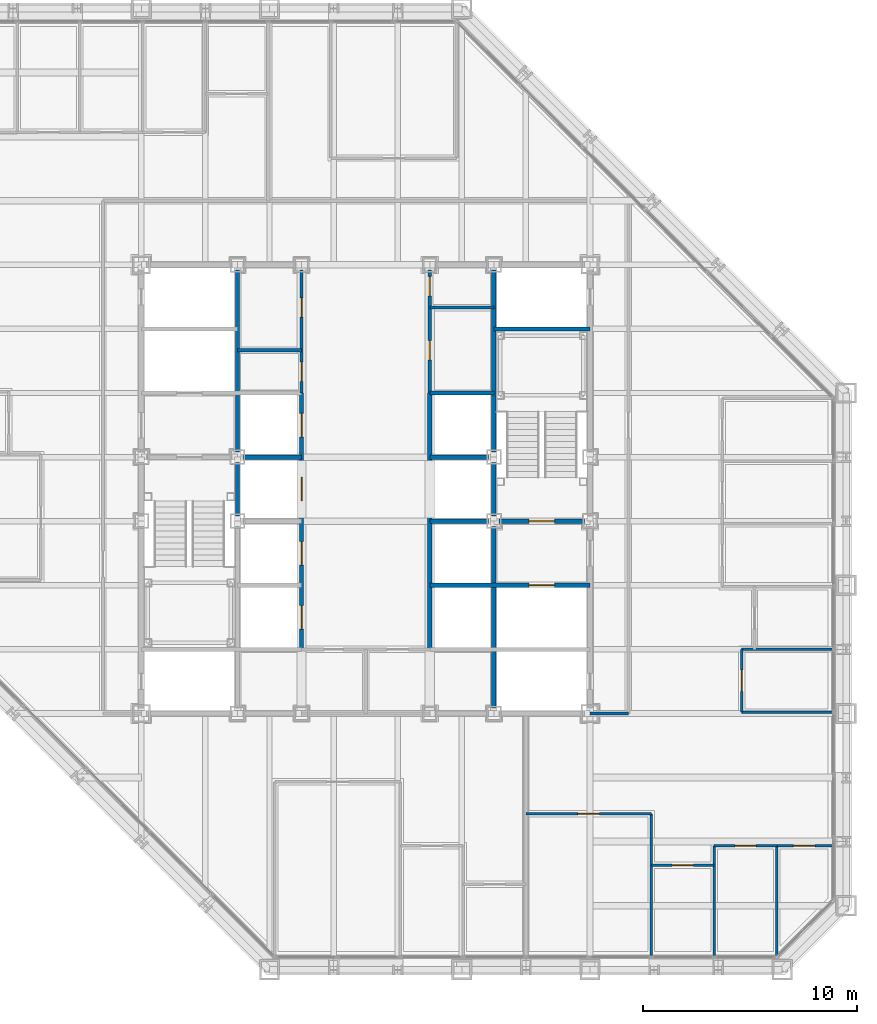
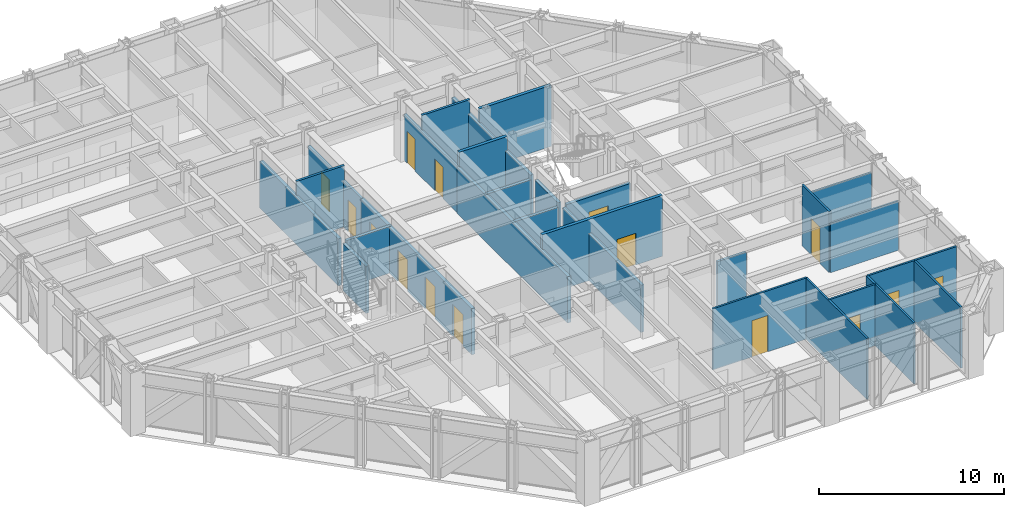
# One storey, part 11 of 16: 29 walls, 15 doors, 15 openings.
"""IFC4 building model written with IfcOpenShell, lengths in metres."""

from ifc_helpers import new_model, si_unit, direction, frame, frame_2d, origin, place, context, subcontext, project, spatial, rectangle, extrude, material, layer, layer_set, type_object, element, fill, save


model = new_model("IFC4")

# Units and contexts
model_context = context("Model", 3, precision=1e-05, world=origin(), true_north=direction((0.0, 1.0)))
body_context = subcontext(model_context, "Body", "Model", "MODEL_VIEW")
ifc_project = project(units=[si_unit("LENGTHUNIT", "METRE"), si_unit("AREAUNIT", "SQUARE_METRE"), si_unit("VOLUMEUNIT", "CUBIC_METRE"), si_unit("PLANEANGLEUNIT", "RADIAN"), si_unit("MASSUNIT", "GRAM", prefix="KILO")], contexts=[model_context])

# Site, building, storey
site_placement = place(None, origin())
site = spatial("IfcSite", under=ifc_project, at=site_placement, CompositionType="ELEMENT")
building_placement = place(site_placement, origin())
building = spatial("IfcBuilding", under=site, at=building_placement, Name="Chuquiago Exchange Tower", CompositionType="ELEMENT")
storey_placement = place(building_placement, frame((0.0, 0.0, 123.60009765625)))
storey = spatial("IfcBuildingStorey", under=building, at=storey_placement, Name="L26", CompositionType="ELEMENT", Elevation=123.60009765625)

# Walls
ifc_material_1 = material(Name="Gypsum board on steel studs, acoustic insulation", Category="steel")
ifc_layer_1 = layer(ifc_material_1, 0.14990234375)
ifc_layer_set_1 = layer_set([ifc_layer_1], Name="W11 corridor wall 150")
wall_type_1 = type_object("IfcWallType", Name="W11 corridor wall 150", PredefinedType="PARTITIONING", material=ifc_layer_set_1)
wall_1_placement = place(storey_placement, frame((33.0, 12.0, 0.0), z_axis=(0.0, 0.0, 1.0), x_axis=(1.0, 0.0, 0.0)))
element("IfcWall", 1, at=wall_1_placement, inside=storey, type_object=wall_type_1, Name="PW-L26-CES", PredefinedType="PARTITIONING", context=body_context, shape_type="SweptSolid", body=[
    extrude(rectangle(XDim=1.800048828125, YDim=0.14990234375, at=frame_2d((0.89990234375, 0.0))), origin(), (0.0, 0.0, 1.0), 3.270263671875),
])
ifc_material_2 = material(Name="Concrete masonry, fully grouted", Category="masonry")
ifc_layer_2 = layer(ifc_material_2, 0.199951171875)
ifc_layer_set_2 = layer_set([ifc_layer_2], Name="W2 shaft wall 200")
wall_type_2 = type_object("IfcWallType", Name="W2 shaft wall 200", PredefinedType="SOLIDWALL", material=ifc_layer_set_2)
for number, where, z_axis, x_axis, name in (
    (2, (16.75, 24.0, 0.0), (0.0, 0.0, 1.0), (1.0, 0.0, 0.0), "CW-L26-05-1"),
    (3, (25.5, 24.0, 0.0), (0.0, 0.0, 1.0), (1.0, 0.0, 0.0), "CW-L26-06-0"),
):
    element("IfcWall", number, at=place(storey_placement, frame(where, z_axis=z_axis, x_axis=x_axis)), inside=storey, type_object=wall_type_2, Name=name, PredefinedType="SOLIDWALL", context=body_context, shape_type="SweptSolid", body=[
        extrude(rectangle(XDim=2.75, YDim=0.199951171875, at=frame_2d((1.375, 0.0))), origin(), (0.0, 0.0, 1.0), 3.08984375),
    ])
wall_2_placement = place(storey_placement, frame((25.5, 27.0, 0.0), z_axis=(0.0, 0.0, 1.0), x_axis=(1.0, 0.0, 0.0)))
element("IfcWall", 4, at=wall_2_placement, inside=storey, type_object=wall_type_2, Name="CW-L26-08-0", PredefinedType="SOLIDWALL", context=body_context, shape_type="SweptSolid", body=[
    extrude(rectangle(XDim=3.0, YDim=0.199951171875, at=frame_2d((1.5, 0.0))), origin(), (0.0, 0.0, 1.0), 4.039794921875),
])
wall_3_placement = place(storey_placement, frame((28.5, 30.0, 0.0), z_axis=(0.0, 0.0, 1.0), x_axis=(1.0, 0.0, 0.0)))
element("IfcWall", 5, at=wall_3_placement, inside=storey, type_object=wall_type_2, Name="CW-L26-10-0", PredefinedType="SOLIDWALL", context=body_context, shape_type="SweptSolid", body=[
    extrude(rectangle(XDim=4.5, YDim=0.199951171875, at=frame_2d((2.25, 0.0))), origin(), (0.0, 0.0, 1.0), 4.039794921875),
])
wall_4_placement = place(storey_placement, frame((16.5, 21.25, 0.0), z_axis=(0.0, 0.0, 1.0), x_axis=(0.0, 1.0, 0.0)))
element("IfcWall", 6, at=wall_4_placement, inside=storey, type_object=wall_type_2, Name="CW-L26-13-1", PredefinedType="SOLIDWALL", context=body_context, shape_type="SweptSolid", body=[
    extrude(rectangle(XDim=2.5, YDim=0.199951171875, at=frame_2d((1.25, 0.0))), origin(), (0.0, 0.0, 1.0), 3.11279296875),
])
wall_5_placement = place(storey_placement, frame((16.5, 24.25, 0.0), z_axis=(0.0, 0.0, 1.0), x_axis=(0.0, 1.0, 0.0)))
element("IfcWall", 7, at=wall_5_placement, inside=storey, type_object=wall_type_2, Name="CW-L26-13-2", PredefinedType="SOLIDWALL", context=body_context, shape_type="SweptSolid", body=[
    extrude(rectangle(XDim=8.5, YDim=0.199951171875, at=frame_2d((4.25, 0.0))), origin(), (0.0, 0.0, 1.0), 3.11279296875),
])

# Wall, opening, door
wall_6_placement = place(storey_placement, frame((25.5, 18.0, 0.0), z_axis=(0.0, 0.0, 1.0), x_axis=(1.0, 0.0, 0.0)))
wall_6 = element("IfcWall", 8, at=wall_6_placement, inside=storey, type_object=wall_type_2, Name="CW-L26-15-0", PredefinedType="SOLIDWALL", context=body_context, shape_type="SweptSolid", body=[
    extrude(rectangle(XDim=7.5, YDim=0.199951171875, at=frame_2d((3.75, 0.0))), origin(), (0.0, 0.0, 1.0), 4.039794921875),
])
opening_1_placement = place(wall_6_placement, frame((4.64990234375, 0.0, 0.0)))
opening_1 = element("IfcOpeningElement", 9, at=opening_1_placement, cuts=wall_6, Name="Opening L26-006", PredefinedType="OPENING", context=body_context, shape_type="SweptSolid", body=[
    extrude(rectangle(XDim=1.199951171875, YDim=2.10009765625, at=frame_2d((0.60009765625, 1.050048828125))), frame((0.0, 0.10986328125, 0.0), z_axis=(0.0, -1.0, 0.0), x_axis=(1.0, 0.0, 0.0)), (0.0, 0.0, 1.0), 0.219970703125),
])
ifc_material_3 = material(Name="Stainless steel lift landing door", Category="steel")
door_type_1 = type_object("IfcDoorType", Name="LD2 firefighting lift landing door 1200x2100", OperationType="DOUBLE_DOOR_SLIDING", PredefinedType="DOOR", material=ifc_material_3)
door_1_placement = place(opening_1_placement, origin())
door_1 = element("IfcDoor", 10, at=door_1_placement, inside=storey, type_object=door_type_1, Name="Firefighting lift FL2 landing door", OperationType="DOUBLE_DOOR_SLIDING", OverallHeight=2.10009765625, OverallWidth=1.199951171875, PredefinedType="DOOR", context=body_context, shape_type="SweptSolid", body=[
    extrude(rectangle(XDim=1.199951171875, YDim=2.10009765625, at=frame_2d((0.60009765625, 1.050048828125))), frame((0.0, 0.02490234375, 0.0), z_axis=(0.0, -1.0, 0.0), x_axis=(1.0, 0.0, 0.0)), (0.0, 0.0, 1.0), 0.050048828125),
])
fill(opening_1, door_1)

# Wall
wall_7_placement = place(storey_placement, frame((25.5, 21.0, 0.0), z_axis=(0.0, 0.0, 1.0), x_axis=(1.0, 0.0, 0.0)))
element("IfcWall", 11, at=wall_7_placement, inside=storey, type_object=wall_type_2, Name="CW-L26-17-0", PredefinedType="SOLIDWALL", context=body_context, shape_type="SweptSolid", body=[
    extrude(rectangle(XDim=2.75, YDim=0.199951171875, at=frame_2d((1.375, 0.0))), origin(), (0.0, 0.0, 1.0), 3.08984375),
])

# Wall, opening, door
wall_8_placement = place(storey_placement, frame((28.75, 21.0, 0.0), z_axis=(0.0, 0.0, 1.0), x_axis=(1.0, 0.0, 0.0)))
wall_8 = element("IfcWall", 12, at=wall_8_placement, inside=storey, type_object=wall_type_2, Name="CW-L26-17-1", PredefinedType="SOLIDWALL", context=body_context, shape_type="SweptSolid", body=[
    extrude(rectangle(XDim=4.0, YDim=0.199951171875, at=frame_2d((2.0, 0.0))), origin(), (0.0, 0.0, 1.0), 3.08984375),
])
opening_2_placement = place(wall_8_placement, frame((1.39990234375, 0.0, 0.0)))
opening_2 = element("IfcOpeningElement", 13, at=opening_2_placement, cuts=wall_8, Name="Opening L26-003", PredefinedType="OPENING", context=body_context, shape_type="SweptSolid", body=[
    extrude(rectangle(XDim=1.199951171875, YDim=2.10009765625, at=frame_2d((0.60009765625, 1.050048828125))), frame((0.0, 0.10986328125, 0.0), z_axis=(0.0, -1.0, 0.0), x_axis=(1.0, 0.0, 0.0)), (0.0, 0.0, 1.0), 0.219970703125),
])
ifc_material_4 = material(Name="Steel door, painted", Category="steel")
door_type_2 = type_object("IfcDoorType", Name="D4 stair door 1200x2100", OperationType="SINGLE_SWING_LEFT", PredefinedType="DOOR", material=ifc_material_4)
door_2_placement = place(opening_2_placement, origin())
door_2 = element("IfcDoor", 14, at=door_2_placement, inside=storey, type_object=door_type_2, Name="Stair ST2 door", OperationType="SINGLE_SWING_LEFT", OverallHeight=2.10009765625, OverallWidth=1.199951171875, PredefinedType="DOOR", context=body_context, shape_type="SweptSolid", body=[
    extrude(rectangle(XDim=1.199951171875, YDim=2.10009765625, at=frame_2d((0.60009765625, 1.050048828125))), frame((0.0, 0.02490234375, 0.0), z_axis=(0.0, -1.0, 0.0), x_axis=(1.0, 0.0, 0.0)), (0.0, 0.0, 1.0), 0.050048828125),
])
fill(opening_2, door_2)

# Wall, openings, doors
wall_9_placement = place(storey_placement, frame((19.5, 15.0, 0.0), z_axis=(0.0, 0.0, 1.0), x_axis=(0.0, 1.0, 0.0)))
wall_9 = element("IfcWall", 15, at=wall_9_placement, inside=storey, type_object=wall_type_2, Name="CW-L26-19-0", PredefinedType="SOLIDWALL", context=body_context, shape_type="SweptSolid", body=[
    extrude(rectangle(XDim=12.0, YDim=0.199951171875, at=frame_2d((6.0, 0.0))), origin(), (0.0, 0.0, 1.0), 3.064453125),
])
opening_3_placement = place(wall_9_placement, frame((0.949951171875, 0.0, 0.0)))
opening_3 = element("IfcOpeningElement", 16, at=opening_3_placement, cuts=wall_9, Name="Opening L26-017", PredefinedType="OPENING", context=body_context, shape_type="SweptSolid", body=[
    extrude(rectangle(XDim=1.10009765625, YDim=2.10009765625, at=frame_2d((0.550048828125, 1.050048828125))), frame((0.0, 0.10986328125, 0.0), z_axis=(0.0, -1.0, 0.0), x_axis=(1.0, 0.0, 0.0)), (0.0, 0.0, 1.0), 0.219970703125),
])
opening_4_placement = place(wall_9_placement, frame((3.949951171875, 0.0, 0.0)))
opening_4 = element("IfcOpeningElement", 17, at=opening_4_placement, cuts=wall_9, Name="Opening L26-018", PredefinedType="OPENING", context=body_context, shape_type="SweptSolid", body=[
    extrude(rectangle(XDim=1.10009765625, YDim=2.10009765625, at=frame_2d((0.550048828125, 1.050048828125))), frame((0.0, 0.10986328125, 0.0), z_axis=(0.0, -1.0, 0.0), x_axis=(1.0, 0.0, 0.0)), (0.0, 0.0, 1.0), 0.219970703125),
])
opening_5_placement = place(wall_9_placement, frame((6.949951171875, 0.0, 0.0)))
opening_5 = element("IfcOpeningElement", 18, at=opening_5_placement, cuts=wall_9, Name="Opening L26-019", PredefinedType="OPENING", context=body_context, shape_type="SweptSolid", body=[
    extrude(rectangle(XDim=1.10009765625, YDim=2.10009765625, at=frame_2d((0.550048828125, 1.050048828125))), frame((0.0, 0.10986328125, 0.0), z_axis=(0.0, -1.0, 0.0), x_axis=(1.0, 0.0, 0.0)), (0.0, 0.0, 1.0), 0.219970703125),
])
opening_6_placement = place(wall_9_placement, frame((9.949951171875, 0.0, 0.0)))
opening_6 = element("IfcOpeningElement", 19, at=opening_6_placement, cuts=wall_9, Name="Opening L26-020", PredefinedType="OPENING", context=body_context, shape_type="SweptSolid", body=[
    extrude(rectangle(XDim=1.10009765625, YDim=2.10009765625, at=frame_2d((0.550048828125, 1.050048828125))), frame((0.0, 0.10986328125, 0.0), z_axis=(0.0, -1.0, 0.0), x_axis=(1.0, 0.0, 0.0)), (0.0, 0.0, 1.0), 0.219970703125),
])
ifc_material_5 = material(Name="Stainless steel lift landing door", Category="steel")
door_type_3 = type_object("IfcDoorType", Name="LD1 lift landing door 1100x2100", OperationType="DOUBLE_DOOR_SLIDING", PredefinedType="DOOR", material=ifc_material_5)
door_3_placement = place(opening_3_placement, origin())
door_3 = element("IfcDoor", 20, at=door_3_placement, inside=storey, type_object=door_type_3, Name="Lift LB1 landing door", OperationType="DOUBLE_DOOR_SLIDING", OverallHeight=2.10009765625, OverallWidth=1.10009765625, PredefinedType="DOOR", context=body_context, shape_type="SweptSolid", body=[
    extrude(rectangle(XDim=1.10009765625, YDim=2.10009765625, at=frame_2d((0.550048828125, 1.050048828125))), frame((0.0, 0.02490234375, 0.0), z_axis=(0.0, -1.0, 0.0), x_axis=(1.0, 0.0, 0.0)), (0.0, 0.0, 1.0), 0.050048828125),
])
fill(opening_3, door_3)
door_4_placement = place(opening_4_placement, origin())
door_4 = element("IfcDoor", 21, at=door_4_placement, inside=storey, type_object=door_type_3, Name="Lift LB2 landing door", OperationType="DOUBLE_DOOR_SLIDING", OverallHeight=2.10009765625, OverallWidth=1.10009765625, PredefinedType="DOOR", context=body_context, shape_type="SweptSolid", body=[
    extrude(rectangle(XDim=1.10009765625, YDim=2.10009765625, at=frame_2d((0.550048828125, 1.050048828125))), frame((0.0, 0.02490234375, 0.0), z_axis=(0.0, -1.0, 0.0), x_axis=(1.0, 0.0, 0.0)), (0.0, 0.0, 1.0), 0.050048828125),
])
fill(opening_4, door_4)
door_5_placement = place(opening_5_placement, origin())
door_5 = element("IfcDoor", 22, at=door_5_placement, inside=storey, type_object=door_type_3, Name="Lift LB3 landing door", OperationType="DOUBLE_DOOR_SLIDING", OverallHeight=2.10009765625, OverallWidth=1.10009765625, PredefinedType="DOOR", context=body_context, shape_type="SweptSolid", body=[
    extrude(rectangle(XDim=1.10009765625, YDim=2.10009765625, at=frame_2d((0.550048828125, 1.050048828125))), frame((0.0, 0.02490234375, 0.0), z_axis=(0.0, -1.0, 0.0), x_axis=(1.0, 0.0, 0.0)), (0.0, 0.0, 1.0), 0.050048828125),
])
fill(opening_5, door_5)
door_6_placement = place(opening_6_placement, origin())
door_6 = element("IfcDoor", 23, at=door_6_placement, inside=storey, type_object=door_type_3, Name="Lift LB4 landing door", OperationType="DOUBLE_DOOR_SLIDING", OverallHeight=2.10009765625, OverallWidth=1.10009765625, PredefinedType="DOOR", context=body_context, shape_type="SweptSolid", body=[
    extrude(rectangle(XDim=1.10009765625, YDim=2.10009765625, at=frame_2d((0.550048828125, 1.050048828125))), frame((0.0, 0.02490234375, 0.0), z_axis=(0.0, -1.0, 0.0), x_axis=(1.0, 0.0, 0.0)), (0.0, 0.0, 1.0), 0.050048828125),
])
fill(opening_6, door_6)

# Walls
wall_10_placement = place(storey_placement, frame((25.5, 15.0, 0.0), z_axis=(0.0, 0.0, 1.0), x_axis=(0.0, 1.0, 0.0)))
element("IfcWall", 24, at=wall_10_placement, inside=storey, type_object=wall_type_2, Name="CW-L26-22-0", PredefinedType="SOLIDWALL", context=body_context, shape_type="SweptSolid", body=[
    extrude(rectangle(XDim=12.0, YDim=0.199951171875, at=frame_2d((6.0, 0.0))), origin(), (0.0, 0.0, 1.0), 3.064453125),
])
wall_11_placement = place(storey_placement, frame((28.5, 12.25, 0.0), z_axis=(0.0, 0.0, 1.0), x_axis=(0.0, 1.0, 0.0)))
element("IfcWall", 25, at=wall_11_placement, inside=storey, type_object=wall_type_2, Name="CW-L26-24-0", PredefinedType="SOLIDWALL", context=body_context, shape_type="SweptSolid", body=[
    extrude(rectangle(XDim=8.5, YDim=0.199951171875, at=frame_2d((4.25, 0.0))), origin(), (0.0, 0.0, 1.0), 3.11279296875),
])
wall_12_placement = place(storey_placement, frame((28.5, 21.25, 0.0), z_axis=(0.0, 0.0, 1.0), x_axis=(0.0, 1.0, 0.0)))
element("IfcWall", 26, at=wall_12_placement, inside=storey, type_object=wall_type_2, Name="CW-L26-24-1", PredefinedType="SOLIDWALL", context=body_context, shape_type="SweptSolid", body=[
    extrude(rectangle(XDim=2.5, YDim=0.199951171875, at=frame_2d((1.25, 0.0))), origin(), (0.0, 0.0, 1.0), 3.11279296875),
])
wall_13_placement = place(storey_placement, frame((28.5, 24.25, 0.0), z_axis=(0.0, 0.0, 1.0), x_axis=(0.0, 1.0, 0.0)))
element("IfcWall", 27, at=wall_13_placement, inside=storey, type_object=wall_type_2, Name="CW-L26-24-2", PredefinedType="SOLIDWALL", context=body_context, shape_type="SweptSolid", body=[
    extrude(rectangle(XDim=8.5, YDim=0.199951171875, at=frame_2d((4.25, 0.0))), origin(), (0.0, 0.0, 1.0), 3.11279296875),
])

# Wall, openings, doors
ifc_material_6 = material(Name="Gypsum board on steel studs", Category="steel")
ifc_layer_3 = layer(ifc_material_6, 0.14990234375)
ifc_layer_set_3 = layer_set([ifc_layer_3], Name="W3 core partition 150")
wall_type_3 = type_object("IfcWallType", Name="W3 core partition 150", PredefinedType="PARTITIONING", material=ifc_layer_set_3)
wall_14_placement = place(storey_placement, frame((19.5, 27.0, 0.0), z_axis=(0.0, 0.0, 1.0), x_axis=(0.0, 1.0, 0.0)))
wall_14 = element("IfcWall", 28, at=wall_14_placement, inside=storey, type_object=wall_type_3, Name="CW-L26-20-0", PredefinedType="PARTITIONING", context=body_context, shape_type="SweptSolid", body=[
    extrude(rectangle(XDim=5.75, YDim=0.14990234375, at=frame_2d((2.875, 0.0))), origin(), (0.0, 0.0, 1.0), 3.064453125),
])
opening_7_placement = place(wall_14_placement, frame((0.550048828125, 0.0, 0.0)))
opening_7 = element("IfcOpeningElement", 29, at=opening_7_placement, cuts=wall_14, Name="Opening L26-011", PredefinedType="OPENING", context=body_context, shape_type="SweptSolid", body=[
    extrude(rectangle(XDim=0.89990234375, YDim=2.10009765625, at=frame_2d((0.449951171875, 1.050048828125))), frame((0.0, 0.0849609375, 0.0), z_axis=(0.0, -1.0, 0.0), x_axis=(1.0, 0.0, 0.0)), (0.0, 0.0, 1.0), 0.169921875),
])
opening_8_placement = place(wall_14_placement, frame((3.550048828125, 0.0, 0.0)))
opening_8 = element("IfcOpeningElement", 30, at=opening_8_placement, cuts=wall_14, Name="Opening L26-012", PredefinedType="OPENING", context=body_context, shape_type="SweptSolid", body=[
    extrude(rectangle(XDim=0.89990234375, YDim=2.10009765625, at=frame_2d((0.449951171875, 1.050048828125))), frame((0.0, 0.0849609375, 0.0), z_axis=(0.0, -1.0, 0.0), x_axis=(1.0, 0.0, 0.0)), (0.0, 0.0, 1.0), 0.169921875),
])
ifc_material_7 = material(Name="Timber door, laminate faced", Category="wood")
door_type_4 = type_object("IfcDoorType", Name="D16 core room door 900x2100", OperationType="SINGLE_SWING_LEFT", PredefinedType="DOOR", material=ifc_material_7)
door_7_placement = place(opening_7_placement, origin())
door_7 = element("IfcDoor", 31, at=door_7_placement, inside=storey, type_object=door_type_4, Name="First aid room door", OperationType="SINGLE_SWING_LEFT", OverallHeight=2.10009765625, OverallWidth=0.89990234375, PredefinedType="DOOR", context=body_context, shape_type="SweptSolid", body=[
    extrude(rectangle(XDim=0.89990234375, YDim=2.10009765625, at=frame_2d((0.449951171875, 1.050048828125))), frame((0.0, 0.02490234375, 0.0), z_axis=(0.0, -1.0, 0.0), x_axis=(1.0, 0.0, 0.0)), (0.0, 0.0, 1.0), 0.050048828125),
])
fill(opening_7, door_7)
ifc_material_8 = material(Name="Timber door, laminate faced", Category="wood")
door_type_5 = type_object("IfcDoorType", Name="D7 toilet door 900x2100", OperationType="SINGLE_SWING_LEFT", PredefinedType="DOOR", material=ifc_material_8)
door_8_placement = place(opening_8_placement, origin())
door_8 = element("IfcDoor", 32, at=door_8_placement, inside=storey, type_object=door_type_5, Name="Male WC door", OperationType="SINGLE_SWING_RIGHT", OverallHeight=2.10009765625, OverallWidth=0.89990234375, PredefinedType="DOOR", context=body_context, shape_type="SweptSolid", body=[
    extrude(rectangle(XDim=0.89990234375, YDim=2.10009765625, at=frame_2d((0.449951171875, 1.050048828125))), frame((0.0, 0.02490234375, 0.0), z_axis=(0.0, -1.0, 0.0), x_axis=(1.0, 0.0, 0.0)), (0.0, 0.0, 1.0), 0.050048828125),
])
fill(opening_8, door_8)

wall_15_placement = place(storey_placement, frame((25.5, 27.0, 0.0), z_axis=(0.0, 0.0, 1.0), x_axis=(0.0, 1.0, 0.0)))
wall_15 = element("IfcWall", 33, at=wall_15_placement, inside=storey, type_object=wall_type_3, Name="CW-L26-23-0", PredefinedType="PARTITIONING", context=body_context, shape_type="SweptSolid", body=[
    extrude(rectangle(XDim=5.75, YDim=0.14990234375, at=frame_2d((2.875, 0.0))), origin(), (0.0, 0.0, 1.0), 3.064453125),
])
opening_9_placement = place(wall_15_placement, frame((1.550048828125, 0.0, 0.0)))
opening_9 = element("IfcOpeningElement", 34, at=opening_9_placement, cuts=wall_15, Name="Opening L26-013", PredefinedType="OPENING", context=body_context, shape_type="SweptSolid", body=[
    extrude(rectangle(XDim=0.89990234375, YDim=2.10009765625, at=frame_2d((0.449951171875, 1.050048828125))), frame((0.0, 0.0849609375, 0.0), z_axis=(0.0, -1.0, 0.0), x_axis=(1.0, 0.0, 0.0)), (0.0, 0.0, 1.0), 0.169921875),
])
opening_10_placement = place(wall_15_placement, frame((4.550048828125, 0.0, 0.0)))
opening_10 = element("IfcOpeningElement", 35, at=opening_10_placement, cuts=wall_15, Name="Opening L26-014", PredefinedType="OPENING", context=body_context, shape_type="SweptSolid", body=[
    extrude(rectangle(XDim=0.89990234375, YDim=2.10009765625, at=frame_2d((0.449951171875, 1.050048828125))), frame((0.0, 0.0849609375, 0.0), z_axis=(0.0, -1.0, 0.0), x_axis=(1.0, 0.0, 0.0)), (0.0, 0.0, 1.0), 0.169921875),
])
door_9_placement = place(opening_10_placement, frame((0.89990234375, 0.0, 0.0), z_axis=(0.0, 0.0, 1.0), x_axis=(-1.0, 0.0, 0.0)))
door_9 = element("IfcDoor", 36, at=door_9_placement, inside=storey, type_object=door_type_4, Name="Staff shower room door", OperationType="SINGLE_SWING_LEFT", OverallHeight=2.10009765625, OverallWidth=0.89990234375, PredefinedType="DOOR", context=body_context, shape_type="SweptSolid", body=[
    extrude(rectangle(XDim=0.89990234375, YDim=2.10009765625, at=frame_2d((0.449951171875, 1.050048828125))), frame((0.0, 0.02490234375, 0.0), z_axis=(0.0, -1.0, 0.0), x_axis=(1.0, 0.0, 0.0)), (0.0, 0.0, 1.0), 0.050048828125),
])
fill(opening_10, door_9)
door_10_placement = place(opening_9_placement, frame((0.89990234375, 0.0, 0.0), z_axis=(0.0, 0.0, 1.0), x_axis=(-1.0, 0.0, 0.0)))
door_10 = element("IfcDoor", 37, at=door_10_placement, inside=storey, type_object=door_type_5, Name="Female WC door", OperationType="SINGLE_SWING_RIGHT", OverallHeight=2.10009765625, OverallWidth=0.89990234375, PredefinedType="DOOR", context=body_context, shape_type="SweptSolid", body=[
    extrude(rectangle(XDim=0.89990234375, YDim=2.10009765625, at=frame_2d((0.449951171875, 1.050048828125))), frame((0.0, 0.02490234375, 0.0), z_axis=(0.0, -1.0, 0.0), x_axis=(1.0, 0.0, 0.0)), (0.0, 0.0, 1.0), 0.050048828125),
])
fill(opening_9, door_10)

# Walls
for number, where, z_axis, x_axis, name in (
    (38, (16.5, 29.0, 0.0), (0.0, 0.0, 1.0), (1.0, 0.0, 0.0), "CW-L26-WCMS"),
    (39, (25.5, 31.0, 0.0), (0.0, 0.0, 1.0), (1.0, 0.0, 0.0), "CW-L26-WCFS"),
):
    element("IfcWall", number, at=place(storey_placement, frame(where, z_axis=z_axis, x_axis=x_axis)), inside=storey, type_object=wall_type_3, Name=name, PredefinedType="PARTITIONING", context=body_context, shape_type="SweptSolid", body=[
        extrude(rectangle(XDim=3.0, YDim=0.14990234375, at=frame_2d((1.5, 0.0))), origin(), (0.0, 0.0, 1.0), 4.039794921875),
    ])
ifc_material_9 = material(Name="Gypsum board on steel studs", Category="steel")
ifc_layer_4 = layer(ifc_material_9, 0.1201171875)
ifc_layer_set_4 = layer_set([ifc_layer_4], Name="W4 partition 120")
wall_type_4 = type_object("IfcWallType", Name="W4 partition 120", PredefinedType="PARTITIONING", material=ifc_layer_set_4)
wall_16_placement = place(storey_placement, frame((35.875732421875, 0.652587890625, 0.0), z_axis=(0.0, 0.0, 1.0), x_axis=(0.0, 1.0, 0.0)))
element("IfcWall", 40, at=wall_16_placement, inside=storey, type_object=wall_type_4, Name="PW-L26-S03588", PredefinedType="PARTITIONING", context=body_context, shape_type="SweptSolid", body=[
    extrude(rectangle(XDim=6.6474609375, YDim=0.1201171875, at=frame_2d((3.32373046875, 0.0))), origin(), (0.0, 0.0, 1.0), 4.039794921875),
])
wall_17_placement = place(storey_placement, frame((38.813720703125, 0.652587890625, 0.0), z_axis=(0.0, 0.0, 1.0), x_axis=(0.0, 1.0, 0.0)))
element("IfcWall", 41, at=wall_17_placement, inside=storey, type_object=wall_type_4, Name="PW-L26-S03881", PredefinedType="PARTITIONING", context=body_context, shape_type="SweptSolid", body=[
    extrude(rectangle(XDim=5.1474609375, YDim=0.1201171875, at=frame_2d((2.57373046875, 0.0))), origin(), (0.0, 0.0, 1.0), 4.039794921875),
])
wall_18_placement = place(storey_placement, frame((41.75146484375, 0.666015625, 0.0), z_axis=(0.0, 0.0, 1.0), x_axis=(0.0, 1.0, 0.0)))
element("IfcWall", 42, at=wall_18_placement, inside=storey, type_object=wall_type_4, Name="PW-L26-S04175", PredefinedType="PARTITIONING", context=body_context, shape_type="SweptSolid", body=[
    extrude(rectangle(XDim=5.134033203125, YDim=0.1201171875, at=frame_2d((2.56689453125, 0.0))), origin(), (0.0, 0.0, 1.0), 4.039794921875),
])

# Wall, opening, door
wall_19_placement = place(storey_placement, frame((30.0, 7.300048828125, 0.0), z_axis=(0.0, 0.0, 1.0), x_axis=(1.0, 0.0, 0.0)))
wall_19 = element("IfcWall", 43, at=wall_19_placement, inside=storey, type_object=wall_type_4, Name="PW-L26-SF03000", PredefinedType="PARTITIONING", context=body_context, shape_type="SweptSolid", body=[
    extrude(rectangle(XDim=5.875732421875, YDim=0.1201171875, at=frame_2d((2.93798828125, 0.0))), origin(), (0.0, 0.0, 1.0), 4.039794921875),
])
opening_11_placement = place(wall_19_placement, frame((2.43798828125, 0.0, 0.0)))
opening_11 = element("IfcOpeningElement", 44, at=opening_11_placement, cuts=wall_19, Name="Opening L26-024", PredefinedType="OPENING", context=body_context, shape_type="SweptSolid", body=[
    extrude(rectangle(XDim=1.0, YDim=2.39990234375, at=frame_2d((0.5, 1.199951171875))), frame((0.0, 0.070068359375, 0.0), z_axis=(0.0, -1.0, 0.0), x_axis=(1.0, 0.0, 0.0)), (0.0, 0.0, 1.0), 0.14013671875),
])
ifc_material_10 = material(Name="Timber door, laminate faced", Category="wood")
door_type_6 = type_object("IfcDoorType", Name="D9 room door 1000x2400", OperationType="SINGLE_SWING_LEFT", PredefinedType="DOOR", material=ifc_material_10)
door_11_placement = place(opening_11_placement, frame((1.0, 0.0, 0.0), z_axis=(0.0, 0.0, 1.0), x_axis=(-1.0, 0.0, 0.0)))
door_11 = element("IfcDoor", 45, at=door_11_placement, inside=storey, type_object=door_type_6, Name="Market data room door", OperationType="SINGLE_SWING_RIGHT", OverallHeight=2.39990234375, OverallWidth=1.0, PredefinedType="DOOR", context=body_context, shape_type="SweptSolid", body=[
    extrude(rectangle(XDim=1.0, YDim=2.39990234375, at=frame_2d((0.5, 1.199951171875))), frame((0.0, 0.02490234375, 0.0), z_axis=(0.0, -1.0, 0.0), x_axis=(1.0, 0.0, 0.0)), (0.0, 0.0, 1.0), 0.050048828125),
])
fill(opening_11, door_11)

wall_20_placement = place(storey_placement, frame((35.875732421875, 4.89990234375, 0.0), z_axis=(0.0, 0.0, 1.0), x_axis=(1.0, 0.0, 0.0)))
wall_20 = element("IfcWall", 46, at=wall_20_placement, inside=storey, type_object=wall_type_4, Name="PW-L26-SF03588", PredefinedType="PARTITIONING", context=body_context, shape_type="SweptSolid", body=[
    extrude(rectangle(XDim=2.93798828125, YDim=0.1201171875, at=frame_2d((1.468994140625, 0.0))), origin(), (0.0, 0.0, 1.0), 4.039794921875),
])
opening_12_placement = place(wall_20_placement, frame((0.968994140625, 0.0, 0.0)))
opening_12 = element("IfcOpeningElement", 47, at=opening_12_placement, cuts=wall_20, Name="Opening L26-025", PredefinedType="OPENING", context=body_context, shape_type="SweptSolid", body=[
    extrude(rectangle(XDim=1.0, YDim=2.39990234375, at=frame_2d((0.5, 1.199951171875))), frame((0.0, 0.070068359375, 0.0), z_axis=(0.0, -1.0, 0.0), x_axis=(1.0, 0.0, 0.0)), (0.0, 0.0, 1.0), 0.14013671875),
])
door_12_placement = place(opening_12_placement, frame((1.0, 0.0, 0.0), z_axis=(0.0, 0.0, 1.0), x_axis=(-1.0, 0.0, 0.0)))
door_12 = element("IfcDoor", 48, at=door_12_placement, inside=storey, type_object=door_type_6, Name="Comms room door", OperationType="SINGLE_SWING_RIGHT", OverallHeight=2.39990234375, OverallWidth=1.0, PredefinedType="DOOR", context=body_context, shape_type="SweptSolid", body=[
    extrude(rectangle(XDim=1.0, YDim=2.39990234375, at=frame_2d((0.5, 1.199951171875))), frame((0.0, 0.02490234375, 0.0), z_axis=(0.0, -1.0, 0.0), x_axis=(1.0, 0.0, 0.0)), (0.0, 0.0, 1.0), 0.050048828125),
])
fill(opening_12, door_12)

wall_21_placement = place(storey_placement, frame((38.813720703125, 5.800048828125, 0.0), z_axis=(0.0, 0.0, 1.0), x_axis=(1.0, 0.0, 0.0)))
wall_21 = element("IfcWall", 49, at=wall_21_placement, inside=storey, type_object=wall_type_4, Name="PW-L26-SF03881", PredefinedType="PARTITIONING", context=body_context, shape_type="SweptSolid", body=[
    extrude(rectangle(XDim=2.937744140625, YDim=0.1201171875, at=frame_2d((1.46875, 0.0))), origin(), (0.0, 0.0, 1.0), 4.039794921875),
])
opening_13_placement = place(wall_21_placement, frame((0.968994140625, 0.0, 0.0)))
opening_13 = element("IfcOpeningElement", 50, at=opening_13_placement, cuts=wall_21, Name="Opening L26-026", PredefinedType="OPENING", context=body_context, shape_type="SweptSolid", body=[
    extrude(rectangle(XDim=1.0, YDim=2.39990234375, at=frame_2d((0.5, 1.199951171875))), frame((0.0, 0.070068359375, 0.0), z_axis=(0.0, -1.0, 0.0), x_axis=(1.0, 0.0, 0.0)), (0.0, 0.0, 1.0), 0.14013671875),
])
door_13_placement = place(opening_13_placement, frame((1.0, 0.0, 0.0), z_axis=(0.0, 0.0, 1.0), x_axis=(-1.0, 0.0, 0.0)))
door_13 = element("IfcDoor", 51, at=door_13_placement, inside=storey, type_object=door_type_6, Name="Office door", OperationType="SINGLE_SWING_RIGHT", OverallHeight=2.39990234375, OverallWidth=1.0, PredefinedType="DOOR", context=body_context, shape_type="SweptSolid", body=[
    extrude(rectangle(XDim=1.0, YDim=2.39990234375, at=frame_2d((0.5, 1.199951171875))), frame((0.0, 0.02490234375, 0.0), z_axis=(0.0, -1.0, 0.0), x_axis=(1.0, 0.0, 0.0)), (0.0, 0.0, 1.0), 0.050048828125),
])
fill(opening_13, door_13)

wall_22_placement = place(storey_placement, frame((41.75146484375, 5.800048828125, 0.0), z_axis=(0.0, 0.0, 1.0), x_axis=(1.0, 0.0, 0.0)))
wall_22 = element("IfcWall", 52, at=wall_22_placement, inside=storey, type_object=wall_type_4, Name="PW-L26-SF04175", PredefinedType="PARTITIONING", context=body_context, shape_type="SweptSolid", body=[
    extrude(rectangle(XDim=2.616455078125, YDim=0.1201171875, at=frame_2d((1.30810546875, 0.0))), origin(), (0.0, 0.0, 1.0), 4.039794921875),
])
opening_14_placement = place(wall_22_placement, frame((0.774169921875, 0.0, 0.0)))
opening_14 = element("IfcOpeningElement", 53, at=opening_14_placement, cuts=wall_22, Name="Opening L26-027", PredefinedType="OPENING", context=body_context, shape_type="SweptSolid", body=[
    extrude(rectangle(XDim=1.0, YDim=2.39990234375, at=frame_2d((0.5, 1.199951171875))), frame((0.0, 0.070068359375, 0.0), z_axis=(0.0, -1.0, 0.0), x_axis=(1.0, 0.0, 0.0)), (0.0, 0.0, 1.0), 0.14013671875),
])
door_14_placement = place(opening_14_placement, frame((1.0, 0.0, 0.0), z_axis=(0.0, 0.0, 1.0), x_axis=(-1.0, 0.0, 0.0)))
door_14 = element("IfcDoor", 54, at=door_14_placement, inside=storey, type_object=door_type_6, Name="Office door", OperationType="SINGLE_SWING_RIGHT", OverallHeight=2.39990234375, OverallWidth=1.0, PredefinedType="DOOR", context=body_context, shape_type="SweptSolid", body=[
    extrude(rectangle(XDim=1.0, YDim=2.39990234375, at=frame_2d((0.5, 1.199951171875))), frame((0.0, 0.02490234375, 0.0), z_axis=(0.0, -1.0, 0.0), x_axis=(1.0, 0.0, 0.0)), (0.0, 0.0, 1.0), 0.050048828125),
])
fill(opening_14, door_14)

# Walls
wall_23_placement = place(storey_placement, frame((44.347412109375, 12.06201171875, 0.0), z_axis=(0.0, 0.0, 1.0), x_axis=(-1.0, 0.0, 0.0)))
element("IfcWall", 55, at=wall_23_placement, inside=storey, type_object=wall_type_4, Name="PW-L26-E01206", PredefinedType="PARTITIONING", context=body_context, shape_type="SweptSolid", body=[
    extrude(rectangle(XDim=4.247314453125, YDim=0.1201171875, at=frame_2d((2.12353515625, 0.0))), origin(), (0.0, 0.0, 1.0), 3.270263671875),
])
wall_24_placement = place(storey_placement, frame((44.347412109375, 15.0, 0.0), z_axis=(0.0, 0.0, 1.0), x_axis=(-1.0, 0.0, 0.0)))
element("IfcWall", 56, at=wall_24_placement, inside=storey, type_object=wall_type_4, Name="PW-L26-E01500", PredefinedType="PARTITIONING", context=body_context, shape_type="SweptSolid", body=[
    extrude(rectangle(XDim=4.247314453125, YDim=0.1201171875, at=frame_2d((2.12353515625, 0.0))), origin(), (0.0, 0.0, 1.0), 3.356689453125),
])

# Wall, opening, door
wall_25_placement = place(storey_placement, frame((40.10009765625, 12.06201171875, 0.0), z_axis=(0.0, 0.0, 1.0), x_axis=(0.0, 1.0, 0.0)))
wall_25 = element("IfcWall", 57, at=wall_25_placement, inside=storey, type_object=wall_type_4, Name="PW-L26-EF01206", PredefinedType="PARTITIONING", context=body_context, shape_type="SweptSolid", body=[
    extrude(rectangle(XDim=2.93798828125, YDim=0.1201171875, at=frame_2d((1.468994140625, 0.0))), origin(), (0.0, 0.0, 1.0), 4.039794921875),
])
opening_15_placement = place(wall_25_placement, frame((0.968994140625, 0.0, 0.0)))
opening_15 = element("IfcOpeningElement", 58, at=opening_15_placement, cuts=wall_25, Name="Opening L26-028", PredefinedType="OPENING", context=body_context, shape_type="SweptSolid", body=[
    extrude(rectangle(XDim=1.0, YDim=2.39990234375, at=frame_2d((0.5, 1.199951171875))), frame((0.0, 0.070068359375, 0.0), z_axis=(0.0, -1.0, 0.0), x_axis=(1.0, 0.0, 0.0)), (0.0, 0.0, 1.0), 0.14013671875),
])
door_15_placement = place(opening_15_placement, frame((1.0, 0.0, 0.0), z_axis=(0.0, 0.0, 1.0), x_axis=(-1.0, 0.0, 0.0)))
door_15 = element("IfcDoor", 59, at=door_15_placement, inside=storey, type_object=door_type_6, Name="Comms room door", OperationType="SINGLE_SWING_LEFT", OverallHeight=2.39990234375, OverallWidth=1.0, PredefinedType="DOOR", context=body_context, shape_type="SweptSolid", body=[
    extrude(rectangle(XDim=1.0, YDim=2.39990234375, at=frame_2d((0.5, 1.199951171875))), frame((0.0, 0.02490234375, 0.0), z_axis=(0.0, -1.0, 0.0), x_axis=(1.0, 0.0, 0.0)), (0.0, 0.0, 1.0), 0.050048828125),
])
fill(opening_15, door_15)

save(model, "model.ifc")
